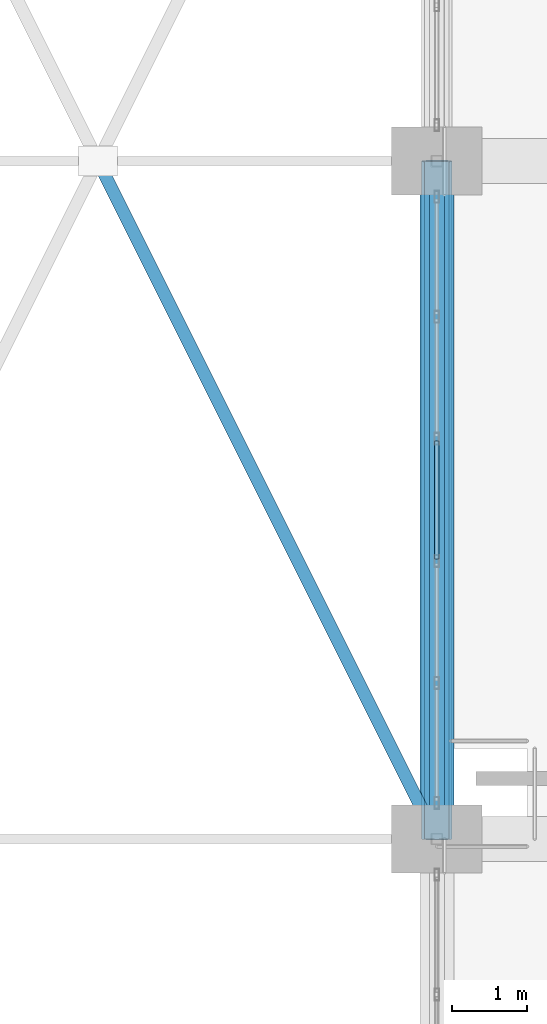
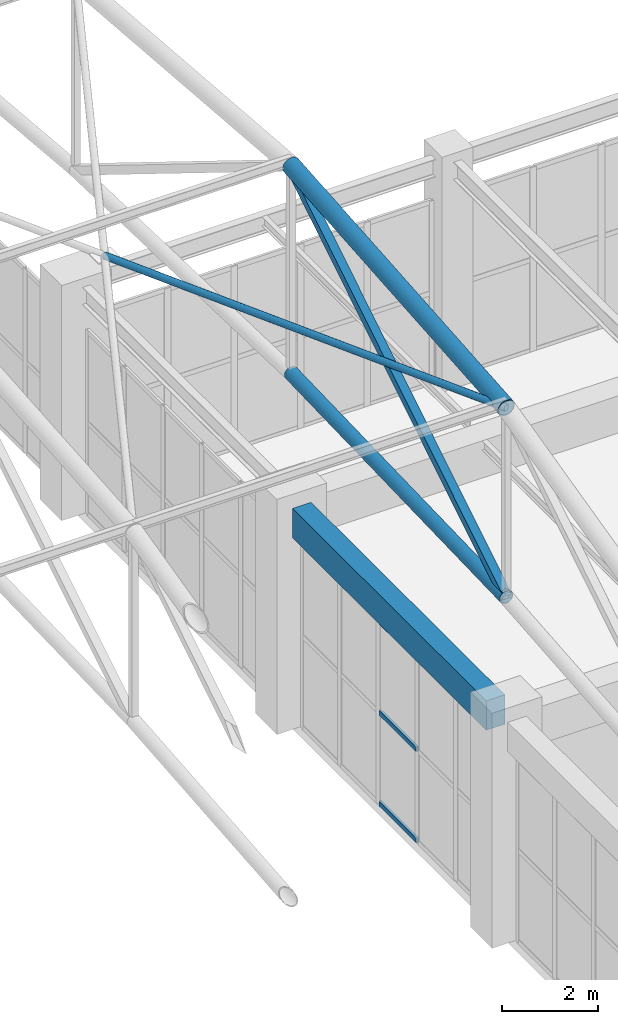
# One storey, part 143 of 223: 7 members, 1 beam, 1 element without a shape of its own.
"""IFC4 building model written with IfcOpenShell, lengths in metres."""

from ifc_helpers import new_model, si_unit, direction, frame, origin, origin_2d, place, context, subcontext, project, spatial, rectangle, hollow_rectangle, hollow_circle, extrude, material, layer, layer_set, material_profile, profile_set, type_object, element, aggregate, save


model = new_model("IFC4")

# Units and contexts
model_context = context("Model", 3, precision=1e-05, world=origin(), true_north=direction((0.0, 1.0)))
body_context = subcontext(model_context, "Body", "Model", "MODEL_VIEW")
ifc_project = project(units=[si_unit("LENGTHUNIT", "METRE"), si_unit("AREAUNIT", "SQUARE_METRE"), si_unit("VOLUMEUNIT", "CUBIC_METRE"), si_unit("PLANEANGLEUNIT", "RADIAN"), si_unit("MASSUNIT", "GRAM", prefix="KILO")], contexts=[model_context])

# Site, building, storey
site_placement = place(None, origin())
site = spatial("IfcSite", under=ifc_project, at=site_placement, CompositionType="ELEMENT")
building_placement = place(site_placement, origin())
building = spatial("IfcBuilding", under=site, at=building_placement, Name="Dornveld Trade and Exhibition Forum", CompositionType="ELEMENT")
storey_placement = place(building_placement, frame((0.0, 0.0, 6.0)))
storey = spatial("IfcBuildingStorey", under=building, at=storey_placement, Name="L01", CompositionType="ELEMENT", Elevation=6.0)

# Beam
ifc_material_1 = material(Name="Precast concrete C50/60", Category="concrete")
ifc_material_profile_1 = material_profile(ifc_material_1, rectangle(XDim=0.449951171875, YDim=0.75, at=origin_2d()), Name="PC-BM 450x750")
ifc_profile_set_1 = profile_set([ifc_material_profile_1], Name="Precast concrete C50/60")
beam_type = type_object("IfcBeamType", Name="BM-PC-450x750", PredefinedType="BEAM", material=ifc_profile_set_1)
beam_placement = place(storey_placement, frame((171.0, 126.446044921875, 5.264892578125), z_axis=(0.0, 1.0, 0.0), x_axis=(-1.0, 0.0, 0.0)))
element("IfcBeam", 1, at=beam_placement, inside=storey, type_object=beam_type, Name="L01 Y-girder 1351", PredefinedType="BEAM", context=body_context, shape_type="SweptSolid", body=[
    extrude(rectangle(XDim=0.449951171875, YDim=0.75, at=origin_2d()), origin(), (0.0, 0.0, 1.0), 8.10791015625),
])

# Curtain wall, members
ifc_material_2 = material(Name="Dark-bronze anodised aluminium and low-E glass", Category="aluminium")
ifc_layer = layer(ifc_material_2, 0.175048828125)
ifc_layer_set = layer_set([ifc_layer], Name="Dark-bronze anodised aluminium and low-E glass")
curtain_wall_type = type_object("IfcCurtainWallType", Name="CW-SYS-11", PredefinedType="USERDEFINED", material=ifc_layer_set)
curtain_wall_placement = place(storey_placement, origin())
curtain_wall = element("IfcCurtainWall", 2, at=curtain_wall_placement, inside=storey, type_object=curtain_wall_type, Name="L01 unitised curtain wall 11", ObjectType="UNITISED_CURTAIN_WALL", PredefinedType="USERDEFINED")
ifc_material_3 = material(Name="Dark-bronze anodised aluminium", Category="aluminium")
ifc_material_profile_2 = material_profile(ifc_material_3, hollow_rectangle(XDim=0.06005859375, YDim=0.1201171875, WallThickness=0.00390625, at=origin_2d()), Name="RHS 120x60x4")
ifc_profile_set_2 = profile_set([ifc_material_profile_2], Name="Dark-bronze anodised aluminium")
member_type_1 = type_object("IfcMemberType", Name="CW-TRN-120", PredefinedType="USERDEFINED", material=ifc_profile_set_2)
member_1_placement = place(storey_placement, frame((171.0, 129.71923828125, 0.02587890625), z_axis=(0.0, 1.0, 0.0), x_axis=(-1.0, 0.0, 0.0)))
member_1 = element("IfcMember", 3, at=member_1_placement, type_object=member_type_1, Name="CW-11 transom 3.1", ObjectType="TRANSOM", PredefinedType="USERDEFINED", context=body_context, shape_type="SweptSolid", body=[
    extrude(hollow_rectangle(XDim=0.06005859375, YDim=0.1201171875, WallThickness=0.00390625, at=origin_2d()), origin(), (0.0, 0.0, 1.0), 1.5615234375),
])
member_2_placement = place(storey_placement, frame((171.0, 129.71923828125, 2.347900390625), z_axis=(0.0, 1.0, 0.0), x_axis=(-1.0, 0.0, 0.0)))
member_2 = element("IfcMember", 4, at=member_2_placement, type_object=member_type_1, Name="CW-11 transom 3.2", ObjectType="TRANSOM", PredefinedType="USERDEFINED", context=body_context, shape_type="SweptSolid", body=[
    extrude(hollow_rectangle(XDim=0.06005859375, YDim=0.1201171875, WallThickness=0.00390625, at=origin_2d()), origin(), (0.0, 0.0, 1.0), 1.5615234375),
])
member_3_placement = place(storey_placement, frame((171.0, 129.71923828125, 4.669921875), z_axis=(0.0, 1.0, 0.0), x_axis=(-1.0, 0.0, 0.0)))
member_3 = element("IfcMember", 5, at=member_3_placement, type_object=member_type_1, Name="CW-11 transom 3.3", ObjectType="TRANSOM", PredefinedType="USERDEFINED", context=body_context, shape_type="SweptSolid", body=[
    extrude(hollow_rectangle(XDim=0.06005859375, YDim=0.1201171875, WallThickness=0.00390625, at=origin_2d()), origin(), (0.0, 0.0, 1.0), 1.5615234375),
])
aggregate(curtain_wall, [member_1, member_2, member_3])

# Members
ifc_material_4 = material(Name="Steel S355J2", Category="steel")
ifc_material_profile_3 = material_profile(ifc_material_4, hollow_circle(Radius=0.161865234375, WallThickness=0.01611328125, at=origin_2d()), Name="CHS 323.9x16")
ifc_profile_set_3 = profile_set([ifc_material_profile_3], Name="Steel S355J2")
member_type_2 = type_object("IfcMemberType", Name="MEM-ARCH-BC", PredefinedType="CHORD", material=ifc_profile_set_3)
member_4_placement = place(storey_placement, frame((171.0, 126.0, 8.4833984375), z_axis=(0.0, 0.999561545365, 0.029609407757), x_axis=(-1.0, 0.0, 0.0)))
element("IfcMember", 6, at=member_4_placement, inside=storey, type_object=member_type_2, Name="H1 truss 9 tie chord 3", PredefinedType="CHORD", context=body_context, shape_type="SweptSolid", body=[
    extrude(hollow_circle(Radius=0.161865234375, WallThickness=0.01611328125, at=origin_2d()), origin(), (0.0, 0.0, 1.0), 9.00390625),
])
ifc_material_5 = material(Name="Steel S355J2", Category="steel")
ifc_material_profile_4 = material_profile(ifc_material_5, hollow_circle(Radius=0.203125, WallThickness=0.02001953125, at=origin_2d()), Name="CHS 406.4x20")
ifc_profile_set_4 = profile_set([ifc_material_profile_4], Name="Steel S355J2")
member_type_3 = type_object("IfcMemberType", Name="MEM-ARCH-TC", PredefinedType="CHORD", material=ifc_profile_set_4)
member_5_placement = place(storey_placement, frame((171.0, 126.0, 13.316650390625), z_axis=(0.0, 0.996696239312, 0.081219496064), x_axis=(-1.0, 0.0, 0.0)))
element("IfcMember", 7, at=member_5_placement, inside=storey, type_object=member_type_3, Name="H1 truss 9 top chord 3", PredefinedType="CHORD", context=body_context, shape_type="SweptSolid", body=[
    extrude(hollow_circle(Radius=0.203125, WallThickness=0.02001953125, at=origin_2d()), origin(), (0.0, 0.0, 1.0), 9.02978515625),
])
ifc_material_6 = material(Name="Steel S355J2", Category="steel")
ifc_material_profile_5 = material_profile(ifc_material_6, hollow_rectangle(XDim=0.199951171875, YDim=0.199951171875, WallThickness=0.010009765625, at=origin_2d()), Name="SHS 200x200x10")
ifc_profile_set_5 = profile_set([ifc_material_profile_5], Name="Steel S355J2")
member_type_4 = type_object("IfcMemberType", Name="MEM-ARCH-WEB", PredefinedType="BRACE", material=ifc_profile_set_5)
member_6_placement = place(storey_placement, frame((171.0, 126.0, 8.4833984375), z_axis=(0.0, 0.850467158024, 0.526028148603), x_axis=(-1.0, 0.0, 0.0)))
element("IfcMember", 8, at=member_6_placement, inside=storey, type_object=member_type_4, Name="H1 truss 9 web 3", PredefinedType="BRACE", context=body_context, shape_type="SweptSolid", body=[
    extrude(hollow_rectangle(XDim=0.199951171875, YDim=0.199951171875, WallThickness=0.010009765625, at=origin_2d()), origin(), (0.0, 0.0, 1.0), 10.58251953125),
])
ifc_material_7 = material(Name="Steel S355J2", Category="steel")
ifc_material_profile_6 = material_profile(ifc_material_7, hollow_circle(Radius=0.084228515625, WallThickness=0.008056640625, at=origin_2d()), Name="CHS 168.3x8")
ifc_profile_set_6 = profile_set([ifc_material_profile_6], Name="Steel S355J2")
member_type_5 = type_object("IfcMemberType", Name="MEM-BRACE-168", PredefinedType="BRACE", material=ifc_profile_set_6)
member_7_placement = place(storey_placement, frame((166.5, 135.0, 13.316650390625), z_axis=(0.4472135955, -0.894427191, 0.0), x_axis=(0.894427191, 0.4472135955, 0.0)))
element("IfcMember", 9, at=member_7_placement, inside=storey, type_object=member_type_5, Name="H1 roof wind brace 8B2", PredefinedType="BRACE", context=body_context, shape_type="SweptSolid", body=[
    extrude(hollow_circle(Radius=0.084228515625, WallThickness=0.008056640625, at=origin_2d()), origin(), (0.0, 0.0, 1.0), 10.062255859375),
])

save(model, "model.ifc")
